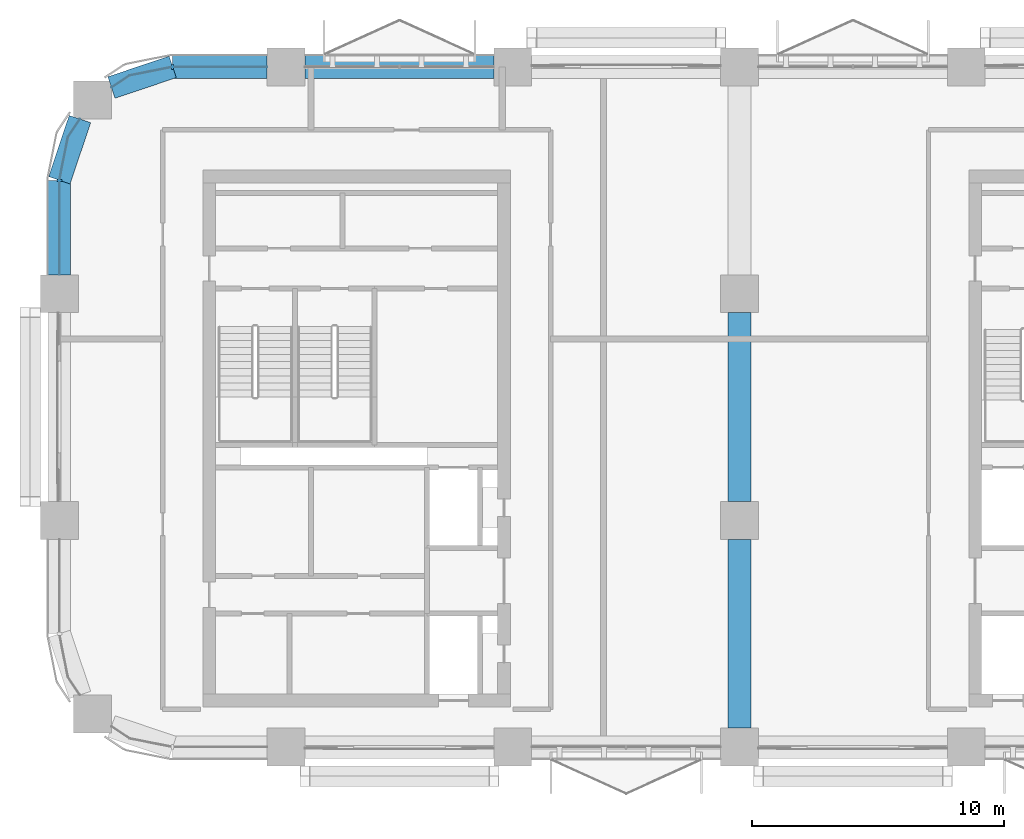
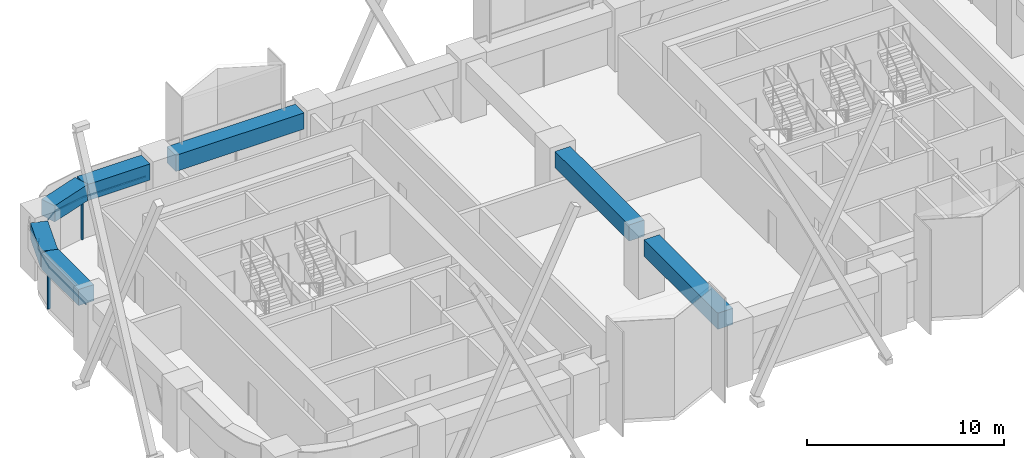
# One storey, part 3 of 14: 7 beams, 4 members, 2 elements without a shape of their own.
"""IFC4 building model written with IfcOpenShell, lengths in metres."""

from ifc_helpers import new_model, si_unit, direction, frame, origin, origin_2d, place, context, subcontext, project, spatial, polyline, rectangle, outline, extrude, material, material_profile, profile_set, type_object, element, aggregate, save


model = new_model("IFC4")

# Units and contexts
model_context = context("Model", 3, precision=1e-05, world=origin(), true_north=direction((0.0, 1.0)))
body_context = subcontext(model_context, "Body", "Model", "MODEL_VIEW")
ifc_project = project(units=[si_unit("LENGTHUNIT", "METRE"), si_unit("AREAUNIT", "SQUARE_METRE"), si_unit("VOLUMEUNIT", "CUBIC_METRE"), si_unit("PLANEANGLEUNIT", "RADIAN"), si_unit("MASSUNIT", "GRAM", prefix="KILO")], contexts=[model_context])

# Site, building, storey
site_placement = place(None, origin())
site = spatial("IfcSite", under=ifc_project, at=site_placement, CompositionType="ELEMENT")
building_placement = place(site_placement, origin())
building = spatial("IfcBuilding", under=site, at=building_placement, Name="Tessera Arch", CompositionType="ELEMENT")
storey_placement = place(building_placement, frame((0.0, 0.0, 181.699951171875)))
storey = spatial("IfcBuildingStorey", under=building, at=storey_placement, Name="L43", CompositionType="ELEMENT", Elevation=181.699951171875)

# Curtain wall, member
ifc_material_1 = material(Name="CW2 curtain wall")
curtain_wall_type = type_object("IfcCurtainWallType", Name="CW2 curtain wall", PredefinedType="NOTDEFINED", material=ifc_material_1)
curtain_wall_1_placement = place(storey_placement, origin())
curtain_wall_1 = element("IfcCurtainWall", 1, at=curtain_wall_1_placement, inside=storey, type_object=curtain_wall_type, Name="CW2 curtain wall N54.0/5 L43", PredefinedType="NOTDEFINED")
ifc_material_2 = material(Name="Anodised aluminium pale metal", Category="aluminium")
ifc_material_profile_1 = material_profile(ifc_material_2, rectangle(XDim=0.199951171875, YDim=0.080078125, at=origin_2d()), Name="AL 80x200")
ifc_profile_set_1 = profile_set([ifc_material_profile_1], Name="Anodised aluminium pale metal")
member_type_1 = type_object("IfcMemberType", Name="CW2 mullion", PredefinedType="MULLION", material=ifc_profile_set_1)
member_1_placement = place(storey_placement, frame((4.5, 54.0, 0.0), z_axis=(0.0, 0.0, 1.0), x_axis=(0.0, -1.0, 0.0)))
member_1 = element("IfcMember", 2, at=member_1_placement, type_object=member_type_1, Name="CW2 mullion N54.0/5 1", PredefinedType="MULLION", context=body_context, shape_type="SweptSolid", body=[
    extrude(rectangle(XDim=0.199951171875, YDim=0.080078125, at=origin_2d()), origin(), (0.0, 0.0, 1.0), 2.5),
])

curtain_wall_2_placement = place(storey_placement, origin())
curtain_wall_2 = element("IfcCurtainWall", 3, at=curtain_wall_2_placement, inside=storey, type_object=curtain_wall_type, Name="CW2 curtain wall W0.27/0 L43", PredefinedType="NOTDEFINED")
member_2_placement = place(storey_placement, frame((0.0, 49.5, 0.0), z_axis=(0.0, 0.0, 1.0), x_axis=(1.0, 0.0, 0.0)))
member_2 = element("IfcMember", 4, at=member_2_placement, type_object=member_type_1, Name="CW2 mullion W0.27/0 1", PredefinedType="MULLION", context=body_context, shape_type="SweptSolid", body=[
    extrude(rectangle(XDim=0.199951171875, YDim=0.080078125, at=origin_2d()), origin(), (0.0, 0.0, 1.0), 2.5),
])

# Member
ifc_material_3 = material(Name="Anodised aluminium pale metal", Category="aluminium")
ifc_material_profile_2 = material_profile(ifc_material_3, rectangle(XDim=0.199951171875, YDim=0.10009765625, at=origin_2d()), Name="AL 200x100")
ifc_profile_set_2 = profile_set([ifc_material_profile_2], Name="Anodised aluminium pale metal")
member_type_2 = type_object("IfcMemberType", Name="CW2 transom", PredefinedType="USERDEFINED", material=ifc_profile_set_2)
member_3_placement = place(storey_placement, frame((0.0, 0.0, 2.5)))
member_3 = element("IfcMember", 5, at=member_3_placement, type_object=member_type_2, Name="CW2 transom N54.0/5 1", ObjectType="TRANSOM", PredefinedType="USERDEFINED", context=body_context, shape_type="SweptSolid", body=[
    extrude(outline(polyline([(4.5009765625, 53.989990234375), (8.25, 53.989990234375), (8.25, 54.010009765625), (4.4990234375, 54.010009765625), (2.77392578125, 53.6669921875), (2.0625, 53.19140625), (2.073486328125, 53.1748046875), (2.78173828125, 53.648193359375), (4.5009765625, 53.989990234375)])), origin(), (0.0, 0.0, 1.0), 0.10009765625),
])

aggregate(curtain_wall_1, [member_1, member_3])

member_4_placement = place(storey_placement, frame((0.0, 0.0, 2.5)))
member_4 = element("IfcMember", 6, at=member_4_placement, type_object=member_type_2, Name="CW2 transom W0.27/0 1", ObjectType="TRANSOM", PredefinedType="USERDEFINED", context=body_context, shape_type="SweptSolid", body=[
    extrude(outline(polyline([(0.351806640625, 51.21826171875), (0.8251953125, 51.926513671875), (0.80859375, 51.9375), (0.3330078125, 51.22607421875), (-0.010009765625, 49.5009765625), (-0.010009765625, 45.75), (0.010009765625, 45.75), (0.010009765625, 49.4990234375), (0.351806640625, 51.21826171875)])), origin(), (0.0, 0.0, 1.0), 0.10009765625),
])

aggregate(curtain_wall_2, [member_2, member_4])

# Beams
ifc_material_4 = material(Name="Concrete C70/85", Category="concrete")
ifc_material_profile_3 = material_profile(ifc_material_4, rectangle(XDim=0.89990234375, YDim=1.0, at=origin_2d()), Name="RC spandrel beam 900 x 1000 Concrete C70/85")
ifc_profile_set_3 = profile_set([ifc_material_profile_3], Name="Concrete C70/85")
beam_type = type_object("IfcBeamType", Name="RC spandrel beam 900 x 1000 Concrete C70/85", PredefinedType="BEAM", material=ifc_profile_set_3)
beam_1_placement = place(storey_placement, frame((17.25, 54.0, 3.10009765625), z_axis=(-1.0, 0.0, 0.0), x_axis=(0.0, -1.0, 0.0)))
element("IfcBeam", 7, at=beam_1_placement, inside=storey, type_object=beam_type, Name="Spandrel beam L43 N54.0/4", PredefinedType="BEAM", context=body_context, shape_type="SweptSolid", body=[
    extrude(rectangle(XDim=0.89990234375, YDim=1.0, at=origin_2d()), origin(), (0.0, 0.0, 1.0), 7.5),
])
beam_2_placement = place(storey_placement, frame((8.25, 54.0, 3.10009765625), z_axis=(-1.0, 0.0, 0.0), x_axis=(0.0, -1.0, 0.0)))
element("IfcBeam", 8, at=beam_2_placement, inside=storey, type_object=beam_type, Name="Spandrel beam L43 N54.0/5.1", PredefinedType="BEAM", context=body_context, shape_type="SweptSolid", body=[
    extrude(rectangle(XDim=0.89990234375, YDim=1.0, at=origin_2d()), origin(), (0.0, 0.0, 1.0), 3.75),
])
for number, where, z_axis, x_axis, name in (
    (9, (4.5, 54.0, 3.10009765625), (-0.947947973234, -0.31842525032, 0.0), (0.31842525032, -0.947947973234, 0.0), "Spandrel beam L43 N54.0/5.2"),
    (10, (0.81689453125, 51.931884765625, 3.10009765625), (-0.31842525032, -0.947947973234, 0.0), (0.947947973234, -0.31842525032, 0.0), "Spandrel beam L43 W0.27/0.1"),
):
    element("IfcBeam", number, at=place(storey_placement, frame(where, z_axis=z_axis, x_axis=x_axis)), inside=storey, type_object=beam_type, Name=name, PredefinedType="BEAM", context=body_context, shape_type="SweptSolid", body=[
        extrude(rectangle(XDim=0.89990234375, YDim=1.0, at=origin_2d()), origin(), (0.0, 0.0, 1.0), 2.5654296875),
    ])
beam_3_placement = place(storey_placement, frame((0.0, 49.5, 3.10009765625), z_axis=(0.0, -1.0, 0.0), x_axis=(1.0, 0.0, 0.0)))
element("IfcBeam", 11, at=beam_3_placement, inside=storey, type_object=beam_type, Name="Spandrel beam L43 W0.27/0.2", PredefinedType="BEAM", context=body_context, shape_type="SweptSolid", body=[
    extrude(rectangle(XDim=0.89990234375, YDim=1.0, at=origin_2d()), origin(), (0.0, 0.0, 1.0), 3.75),
])
for number, where, z_axis, x_axis, name in (
    (12, (27.0, 27.75, 3.10009765625), (0.0, 1.0, 0.0), (-1.0, 0.0, 0.0), "Interface beam L43 I0C4D-C4E"),
    (13, (27.0, 36.75, 3.10009765625), (0.0, 1.0, 0.0), (-1.0, 0.0, 0.0), "Interface beam L43 I0C4E-C4F"),
):
    element("IfcBeam", number, at=place(storey_placement, frame(where, z_axis=z_axis, x_axis=x_axis)), inside=storey, type_object=beam_type, Name=name, PredefinedType="BEAM", context=body_context, shape_type="SweptSolid", body=[
        extrude(rectangle(XDim=0.89990234375, YDim=1.0, at=origin_2d()), origin(), (0.0, 0.0, 1.0), 7.5),
    ])

save(model, "model.ifc")
